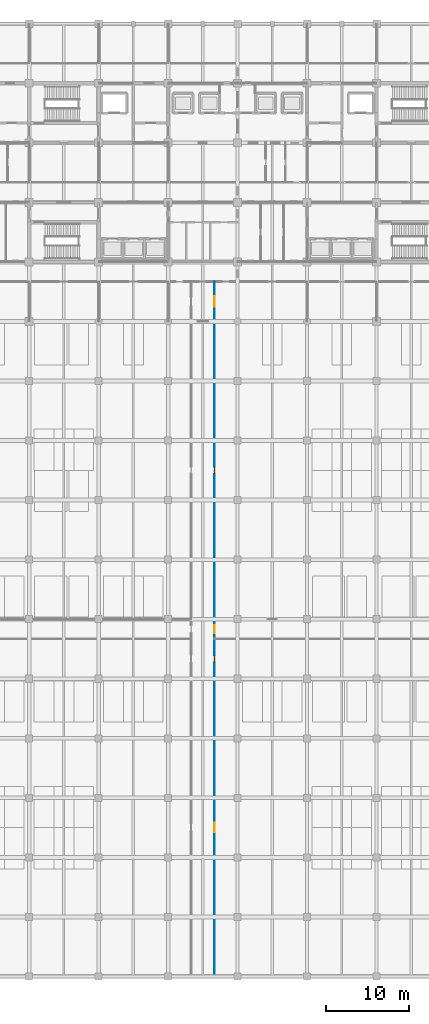
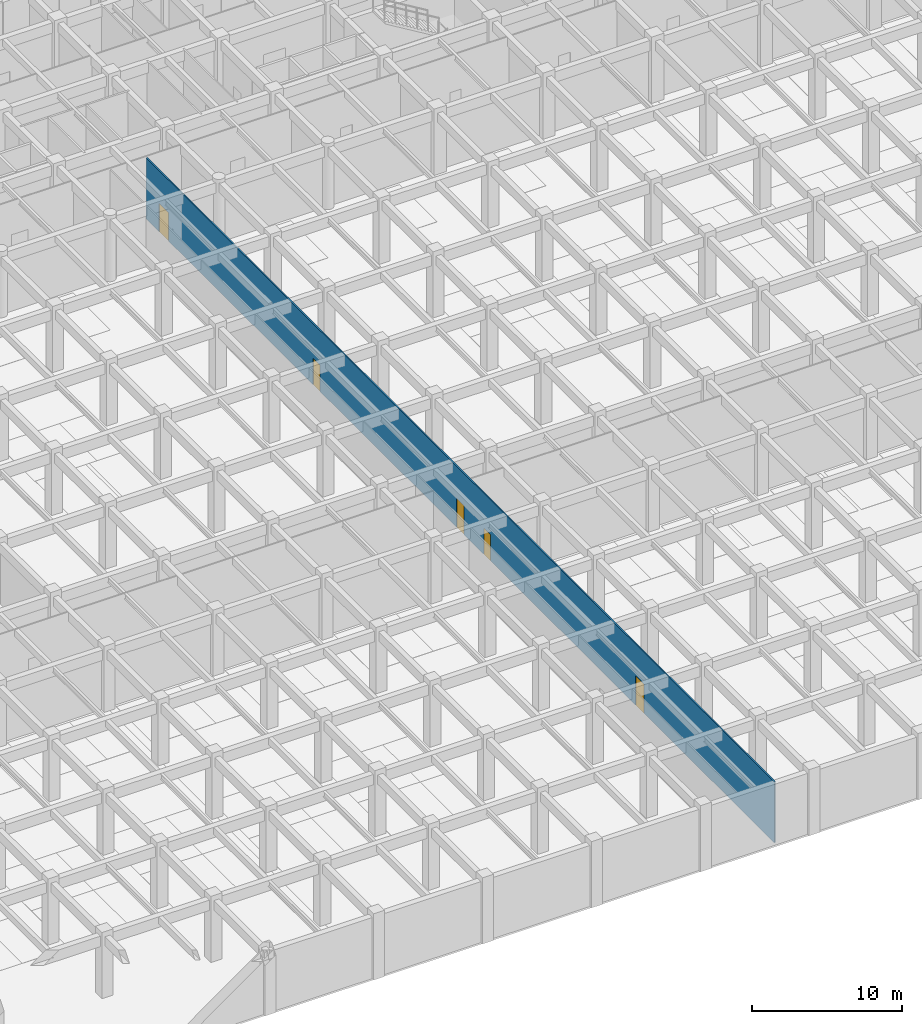
# One storey, part 17 of 48: 5 doors, 1 wall, 5 openings.
"""IFC4 building model written with IfcOpenShell, lengths in metres."""

from ifc_helpers import new_model, si_unit, direction, frame, frame_2d, origin, place, context, subcontext, project, spatial, rectangle, extrude, material, layer, layer_set, type_object, element, fill, save


model = new_model("IFC4")

# Units and contexts
model_context = context("Model", 3, precision=1e-05, world=origin(), true_north=direction((0.0, 1.0)))
body_context = subcontext(model_context, "Body", "Model", "MODEL_VIEW")
ifc_project = project(units=[si_unit("LENGTHUNIT", "METRE"), si_unit("AREAUNIT", "SQUARE_METRE"), si_unit("VOLUMEUNIT", "CUBIC_METRE"), si_unit("PLANEANGLEUNIT", "RADIAN"), si_unit("MASSUNIT", "GRAM", prefix="KILO")], contexts=[model_context])

# Site, building, storey
site_placement = place(None, origin())
site = spatial("IfcSite", under=ifc_project, at=site_placement, CompositionType="ELEMENT")
building_placement = place(site_placement, origin())
building = spatial("IfcBuilding", under=site, at=building_placement, Name="Chengyuan Square Courthouse", CompositionType="ELEMENT")
storey_placement = place(building_placement, frame((0.0, 0.0, -5.39990234375)))
storey = spatial("IfcBuildingStorey", under=building, at=storey_placement, Name="B01", CompositionType="ELEMENT", Elevation=-5.39990234375)

# Wall, openings, doors
ifc_material_1 = material(Name="Gypsum Plasterboard Acoustic Stud Partition")
ifc_layer = layer(ifc_material_1, 0.10009765625)
ifc_layer_set = layer_set([ifc_layer], Name="Gypsum Plasterboard Acoustic Stud Partition")
wall_type = type_object("IfcWallType", Name="WL-PT6", PredefinedType="STANDARD", material=ifc_layer_set)
wall_placement = place(storey_placement, frame((81.199951171875, 0.0400390625, 0.0), z_axis=(0.0, 0.0, 1.0), x_axis=(0.0, 1.0, 0.0)))
wall = element("IfcWall", 1, at=wall_placement, inside=storey, type_object=wall_type, Name="Interior Wall WL-B01-I522", PredefinedType="STANDARD", context=body_context, shape_type="SweptSolid", body=[
    extrude(rectangle(XDim=83.9599609375, YDim=0.10009765625, at=frame_2d((41.97998046875, 0.0))), origin(), (0.0, 0.0, 1.0), 4.97998046875),
])
opening_1_placement = place(wall_placement, frame((80.93994140625, 0.0, 0.0)))
opening_1 = element("IfcOpeningElement", 2, at=opening_1_placement, cuts=wall, Name="Opening DR-639", PredefinedType="OPENING", context=body_context, shape_type="SweptSolid", body=[
    extrude(rectangle(XDim=1.239990234375, YDim=2.300048828125, at=frame_2d((0.6201171875, 1.14990234375))), frame((0.0, 0.06201171875, 0.0), z_axis=(0.0, -1.0, 0.0), x_axis=(1.0, 0.0, 0.0)), (0.0, 0.0, 1.0), 0.1240234375),
])
opening_2_placement = place(wall_placement, frame((41.469970703125, 0.0, 0.0)))
opening_2 = element("IfcOpeningElement", 3, at=opening_2_placement, cuts=wall, Name="Opening DR-642", PredefinedType="OPENING", context=body_context, shape_type="SweptSolid", body=[
    extrude(rectangle(XDim=0.97998046875, YDim=2.35009765625, at=frame_2d((0.489990234375, 1.175048828125))), frame((0.0, 0.06201171875, 0.0), z_axis=(0.0, -1.0, 0.0), x_axis=(1.0, 0.0, 0.0)), (0.0, 0.0, 1.0), 0.1240234375),
])
opening_3_placement = place(wall_placement, frame((17.409912109375, 0.0, 0.0)))
opening_3 = element("IfcOpeningElement", 4, at=opening_3_placement, cuts=wall, Name="Opening DR-645", PredefinedType="OPENING", context=body_context, shape_type="SweptSolid", body=[
    extrude(rectangle(XDim=1.139892578125, YDim=2.39990234375, at=frame_2d((0.56982421875, 1.199951171875))), frame((0.0, 0.06201171875, 0.0), z_axis=(0.0, -1.0, 0.0), x_axis=(1.0, 0.0, 0.0)), (0.0, 0.0, 1.0), 0.1240234375),
])
opening_4_placement = place(wall_placement, frame((37.909912109375, 0.0, 0.0)))
opening_4 = element("IfcOpeningElement", 5, at=opening_4_placement, cuts=wall, Name="Opening DR-646", PredefinedType="OPENING", context=body_context, shape_type="SweptSolid", body=[
    extrude(rectangle(XDim=0.89990234375, YDim=2.14990234375, at=frame_2d((0.449951171875, 1.074951171875))), frame((0.0, 0.06201171875, 0.0), z_axis=(0.0, -1.0, 0.0), x_axis=(1.0, 0.0, 0.0)), (0.0, 0.0, 1.0), 0.1240234375),
])
opening_5_placement = place(wall_placement, frame((60.699951171875, 0.0, 0.0)))
opening_5 = element("IfcOpeningElement", 6, at=opening_5_placement, cuts=wall, Name="Opening DR-648", PredefinedType="OPENING", context=body_context, shape_type="SweptSolid", body=[
    extrude(rectangle(XDim=0.919921875, YDim=2.14990234375, at=frame_2d((0.4599609375, 1.074951171875))), frame((0.0, 0.06201171875, 0.0), z_axis=(0.0, -1.0, 0.0), x_axis=(1.0, 0.0, 0.0)), (0.0, 0.0, 1.0), 0.1240234375),
])
ifc_material_2 = material(Name="Acoustic Solid-Core Timber Door", Category="wood")
door_type_1 = type_object("IfcDoorType", Name="DT-27", OperationType="NOTDEFINED", PredefinedType="DOOR", material=ifc_material_2)
door_1_placement = place(opening_4_placement, origin())
door_1 = element("IfcDoor", 7, at=door_1_placement, inside=storey, type_object=door_type_1, Name="Interior Door DR-646", OperationType="SINGLE_SWING_LEFT", OverallHeight=2.14990234375, OverallWidth=0.89990234375, PredefinedType="DOOR", context=body_context, shape_type="SweptSolid", body=[
    extrude(rectangle(XDim=0.89990234375, YDim=2.14990234375, at=frame_2d((0.449951171875, 1.074951171875))), frame((0.0, 0.02490234375, 0.0), z_axis=(0.0, -1.0, 0.0), x_axis=(1.0, 0.0, 0.0)), (0.0, 0.0, 1.0), 0.050048828125),
])
fill(opening_4, door_1)
door_type_2 = type_object("IfcDoorType", Name="DT-29", OperationType="NOTDEFINED", PredefinedType="DOOR", material=ifc_material_2)
door_2_placement = place(opening_5_placement, origin())
door_2 = element("IfcDoor", 8, at=door_2_placement, inside=storey, type_object=door_type_2, Name="Interior Door DR-648", OperationType="SINGLE_SWING_LEFT", OverallHeight=2.14990234375, OverallWidth=0.919921875, PredefinedType="DOOR", context=body_context, shape_type="SweptSolid", body=[
    extrude(rectangle(XDim=0.919921875, YDim=2.14990234375, at=frame_2d((0.4599609375, 1.074951171875))), frame((0.0, 0.02490234375, 0.0), z_axis=(0.0, -1.0, 0.0), x_axis=(1.0, 0.0, 0.0)), (0.0, 0.0, 1.0), 0.050048828125),
])
fill(opening_5, door_2)
door_type_3 = type_object("IfcDoorType", Name="DT-37", OperationType="NOTDEFINED", PredefinedType="DOOR", material=ifc_material_2)
door_3_placement = place(opening_1_placement, origin())
door_3 = element("IfcDoor", 9, at=door_3_placement, inside=storey, type_object=door_type_3, Name="Interior Door DR-639", OperationType="SINGLE_SWING_RIGHT", OverallHeight=2.300048828125, OverallWidth=1.239990234375, PredefinedType="DOOR", context=body_context, shape_type="SweptSolid", body=[
    extrude(rectangle(XDim=1.239990234375, YDim=2.300048828125, at=frame_2d((0.6201171875, 1.14990234375))), frame((0.0, 0.02490234375, 0.0), z_axis=(0.0, -1.0, 0.0), x_axis=(1.0, 0.0, 0.0)), (0.0, 0.0, 1.0), 0.050048828125),
])
fill(opening_1, door_3)
door_type_4 = type_object("IfcDoorType", Name="DT-40", OperationType="NOTDEFINED", PredefinedType="DOOR", material=ifc_material_2)
door_4_placement = place(opening_2_placement, origin())
door_4 = element("IfcDoor", 10, at=door_4_placement, inside=storey, type_object=door_type_4, Name="Interior Door DR-642", OperationType="SINGLE_SWING_LEFT", OverallHeight=2.35009765625, OverallWidth=0.97998046875, PredefinedType="DOOR", context=body_context, shape_type="SweptSolid", body=[
    extrude(rectangle(XDim=0.97998046875, YDim=2.35009765625, at=frame_2d((0.489990234375, 1.175048828125))), frame((0.0, 0.02490234375, 0.0), z_axis=(0.0, -1.0, 0.0), x_axis=(1.0, 0.0, 0.0)), (0.0, 0.0, 1.0), 0.050048828125),
])
fill(opening_2, door_4)
door_type_5 = type_object("IfcDoorType", Name="DT-43", OperationType="NOTDEFINED", PredefinedType="DOOR", material=ifc_material_2)
door_5_placement = place(opening_3_placement, origin())
door_5 = element("IfcDoor", 11, at=door_5_placement, inside=storey, type_object=door_type_5, Name="Interior Door DR-645", OperationType="SINGLE_SWING_RIGHT", OverallHeight=2.39990234375, OverallWidth=1.139892578125, PredefinedType="DOOR", context=body_context, shape_type="SweptSolid", body=[
    extrude(rectangle(XDim=1.139892578125, YDim=2.39990234375, at=frame_2d((0.56982421875, 1.199951171875))), frame((0.0, 0.02490234375, 0.0), z_axis=(0.0, -1.0, 0.0), x_axis=(1.0, 0.0, 0.0)), (0.0, 0.0, 1.0), 0.050048828125),
])
fill(opening_3, door_5)

save(model, "model.ifc")
